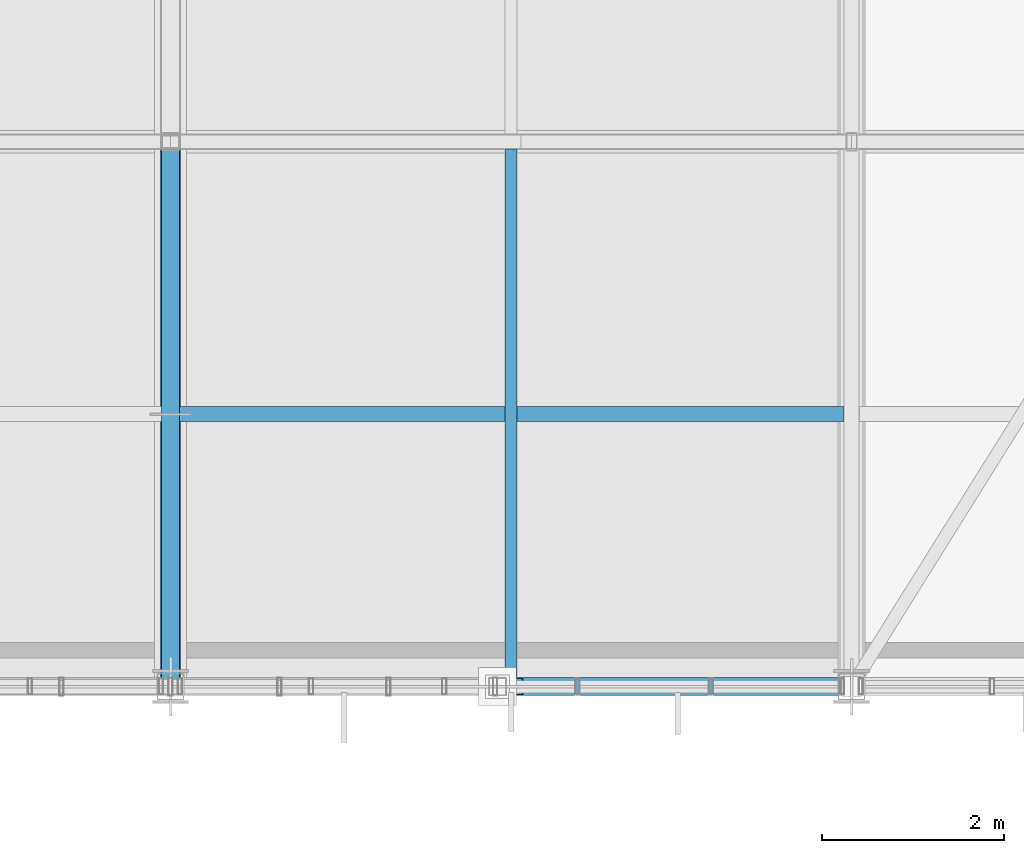
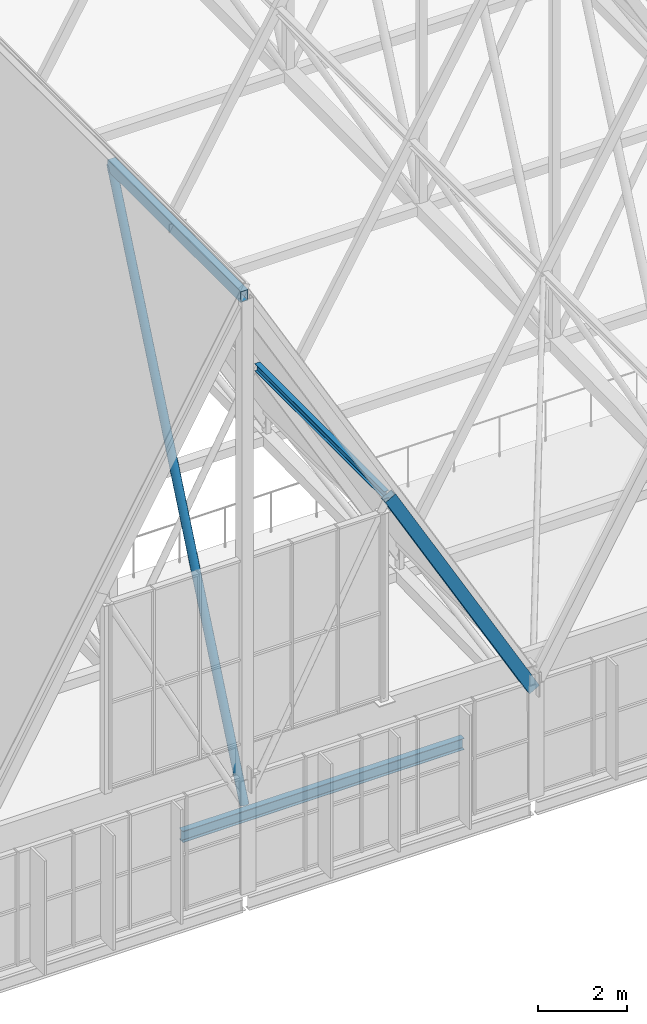
# One storey, part 130 of 324: 3 members, 2 beams.
"""IFC4 building model written with IfcOpenShell, lengths in metres."""

from ifc_helpers import new_model, si_unit, direction, frame, origin, origin_2d, place, context, subcontext, project, spatial, hollow_rectangle, hollow_circle, i_section, extrude, material, material_profile, profile_set, type_object, element, save


model = new_model("IFC4")

# Units and contexts
model_context = context("Model", 3, precision=1e-05, world=origin(), true_north=direction((0.0, 1.0)))
body_context = subcontext(model_context, "Body", "Model", "MODEL_VIEW")
ifc_project = project(units=[si_unit("LENGTHUNIT", "METRE"), si_unit("AREAUNIT", "SQUARE_METRE"), si_unit("VOLUMEUNIT", "CUBIC_METRE"), si_unit("PLANEANGLEUNIT", "RADIAN"), si_unit("MASSUNIT", "GRAM", prefix="KILO")], contexts=[model_context])

# Site, building, storey
site_placement = place(None, origin())
site = spatial("IfcSite", under=ifc_project, at=site_placement, CompositionType="ELEMENT")
building_placement = place(site_placement, origin())
building = spatial("IfcBuilding", under=site, at=building_placement, Name="Solvenia Promenade Tram Depot", CompositionType="ELEMENT")
storey_placement = place(building_placement, frame((0.0, 0.0, 4.5)))
storey = spatial("IfcBuildingStorey", under=building, at=storey_placement, Name="L01", CompositionType="ELEMENT", Elevation=4.5)

# Members
ifc_material_1 = material(Name="Structural steel ASTM A500 Gr. C", Category="steel")
ifc_material_profile_1 = material_profile(ifc_material_1, hollow_circle(Radius=0.109619140625, WallThickness=0.008056640625, at=origin_2d()), Name="CHS219.1x8", Category="steel")
ifc_profile_set_1 = profile_set([ifc_material_profile_1], Name="Structural steel ASTM A500 Gr. C")
member_type_1 = type_object("IfcMemberType", Name="Brace-CHS219x8", PredefinedType="BRACE", material=ifc_profile_set_1)
member_1_placement = place(storey_placement, frame((82.5, 66.0, 2.320068359375), z_axis=(0.0, 0.393919298579, 0.919145030018), x_axis=(-1.0, 0.0, 0.0)))
element("IfcMember", 1, at=member_1_placement, inside=storey, type_object=member_type_1, Name="Arched Truss T12 Web Diagonal S01", PredefinedType="BRACE", context=body_context, shape_type="SweptSolid", body=[
    extrude(hollow_circle(Radius=0.109619140625, WallThickness=0.008056640625, at=origin_2d()), origin(), (0.0, 0.0, 1.0), 15.2314453125),
])
ifc_material_profile_2 = material_profile(ifc_material_1, hollow_rectangle(XDim=0.199951171875, YDim=0.300048828125, WallThickness=0.012451171875, at=origin_2d()), Name="HSS300x200x12.5", Category="steel")
ifc_profile_set_2 = profile_set([ifc_material_profile_2], Name="Structural steel ASTM A500 Gr. C")
member_type_2 = type_object("IfcMemberType", Name="Chord-HSS300x200x12", PredefinedType="CHORD", material=ifc_profile_set_2)
member_2_placement = place(storey_placement, frame((82.5, 66.0, 16.320068359375), z_axis=(0.0, 1.0, 0.0), x_axis=(-1.0, 0.0, 0.0)))
element("IfcMember", 2, at=member_2_placement, inside=storey, type_object=member_type_2, Name="Arched Truss T12 Upper Chord S01", PredefinedType="CHORD", context=body_context, shape_type="SweptSolid", body=[
    extrude(hollow_rectangle(XDim=0.199951171875, YDim=0.300048828125, WallThickness=0.012451171875, at=origin_2d()), origin(), (0.0, 0.0, 1.0), 6.0),
])
member_3_placement = place(storey_placement, frame((86.25, 66.0, 9.501220703125), z_axis=(0.494861595532, 0.0, -0.868971806946), x_axis=(0.0, 1.0, 0.0)))
element("IfcMember", 3, at=member_3_placement, inside=storey, type_object=member_type_2, Name="Zigzag Gable 06 East Lower Rafter", PredefinedType="CHORD", context=body_context, shape_type="SweptSolid", body=[
    extrude(hollow_rectangle(XDim=0.199951171875, YDim=0.300048828125, WallThickness=0.012451171875, at=origin_2d()), origin(), (0.0, 0.0, 1.0), 7.577880859375),
])

# Beams
ifc_material_2 = material(Name="Structural steel ASTM A992 Gr. 50", Category="steel")
ifc_material_profile_3 = material_profile(ifc_material_2, i_section(OverallWidth=0.166015625, OverallDepth=0.31298828125, WebThickness=0.006591796875, FlangeThickness=0.01123046875, FilletRadius=0.010009765625, at=origin_2d()), Name="W310x45", Category="steel")
ifc_profile_set_3 = profile_set([ifc_material_profile_3], Name="Structural steel ASTM A992 Gr. 50")
beam_type_1 = type_object("IfcBeamType", Name="Joist-W310x45", PredefinedType="JOIST", material=ifc_profile_set_3)
beam_1_placement = place(storey_placement, frame((82.5849609375, 69.0, -0.37646484375), z_axis=(1.0, 0.0, 0.0), x_axis=(0.0, 1.0, 0.0)))
element("IfcBeam", 4, at=beam_1_placement, inside=storey, type_object=beam_type_1, Name="Secondary Floor Joist BM-L01-0094", PredefinedType="JOIST", context=body_context, shape_type="SweptSolid", body=[
    extrude(i_section(OverallWidth=0.166015625, OverallDepth=0.31298828125, WebThickness=0.006591796875, FlangeThickness=0.01123046875, FilletRadius=0.010009765625, at=origin_2d()), origin(), (0.0, 0.0, 1.0), 7.330078125),
])
ifc_material_profile_4 = material_profile(ifc_material_2, i_section(OverallWidth=0.133056640625, OverallDepth=0.20703125, WebThickness=0.005859375, FlangeThickness=0.00830078125, FilletRadius=0.009033203125, at=origin_2d()), Name="W200x27", Category="steel")
ifc_profile_set_4 = profile_set([ifc_material_profile_4], Name="Structural steel ASTM A992 Gr. 50")
beam_type_2 = type_object("IfcBeamType", Name="Purlin-W200x27", PredefinedType="USERDEFINED", material=ifc_profile_set_4)
beam_2_placement = place(storey_placement, frame((86.25, 66.0849609375, 9.484130859375), z_axis=(0.0, 1.0, 0.0), x_axis=(-1.0, 0.0, 0.0)))
element("IfcBeam", 5, at=beam_2_placement, inside=storey, type_object=beam_type_2, Name="Gable Roof Purlin E-0102", ObjectType="PURLIN", PredefinedType="USERDEFINED", context=body_context, shape_type="SweptSolid", body=[
    extrude(i_section(OverallWidth=0.133056640625, OverallDepth=0.20703125, WebThickness=0.005859375, FlangeThickness=0.00830078125, FilletRadius=0.009033203125, at=origin_2d()), origin(), (0.0, 0.0, 1.0), 5.830078125),
])

save(model, "model.ifc")
